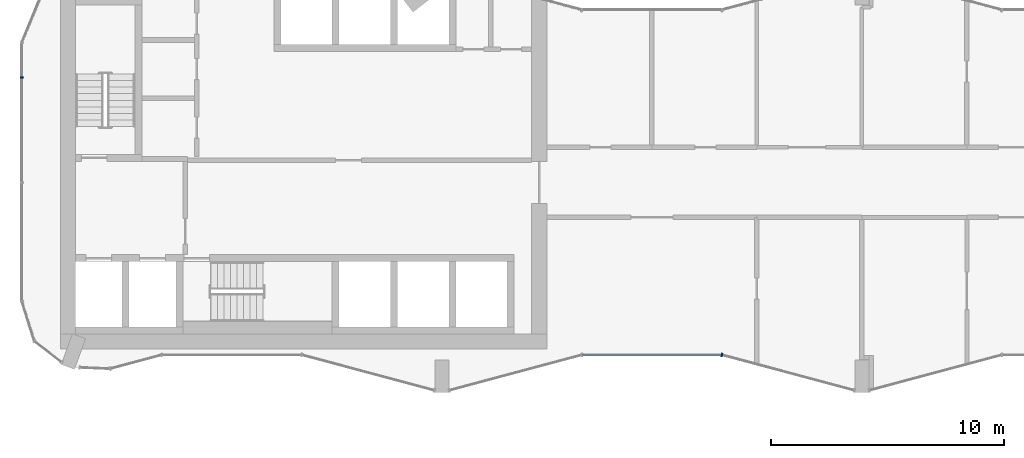
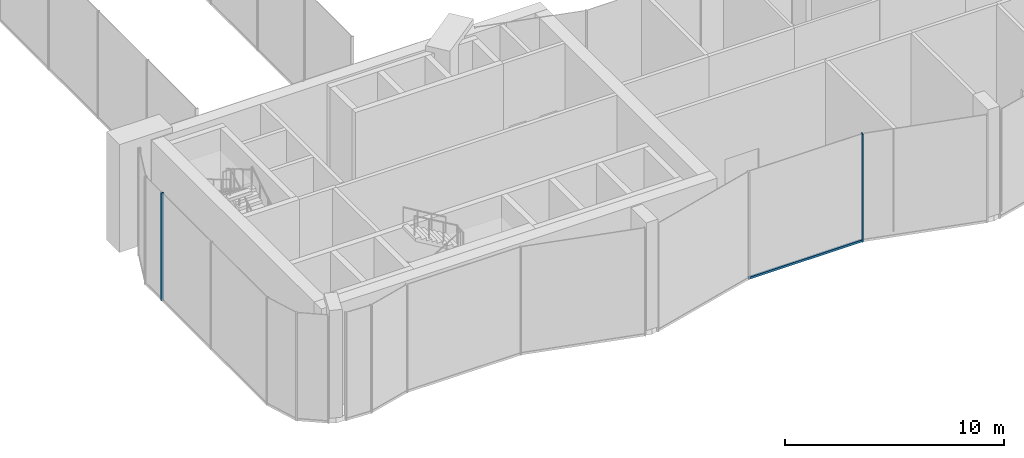
# One storey, part 3 of 19: 3 members, 3 elements without a shape of their own.
"""IFC4 building model written with IfcOpenShell, lengths in metres."""

from ifc_helpers import new_model, si_unit, direction, frame, origin, origin_2d, place, context, subcontext, project, spatial, rectangle, extrude, material, layer, layer_set, material_profile, profile_set, type_object, element, aggregate, save


model = new_model("IFC4")

# Units and contexts
model_context = context("Model", 3, precision=1e-05, world=origin(), true_north=direction((0.0, 1.0)))
body_context = subcontext(model_context, "Body", "Model", "MODEL_VIEW")
ifc_project = project(units=[si_unit("LENGTHUNIT", "METRE"), si_unit("AREAUNIT", "SQUARE_METRE"), si_unit("VOLUMEUNIT", "CUBIC_METRE"), si_unit("PLANEANGLEUNIT", "RADIAN"), si_unit("MASSUNIT", "GRAM", prefix="KILO")], contexts=[model_context])

# Site, building, storey
site_placement = place(None, origin())
site = spatial("IfcSite", under=ifc_project, at=site_placement, CompositionType="ELEMENT")
building_placement = place(site_placement, origin())
building = spatial("IfcBuilding", under=site, at=building_placement, Name="Plateau Cross Towers", CompositionType="ELEMENT")
storey_placement = place(building_placement, frame((0.0, 0.0, 128.60009765625)))
storey = spatial("IfcBuildingStorey", under=building, at=storey_placement, Name="L33", CompositionType="ELEMENT", Elevation=128.60009765625)

# Curtain wall, member
ifc_material_1 = material(Name="Dark low-iron glass", Category="glass")
ifc_layer_1 = layer(ifc_material_1, 0.239990234375)
ifc_layer_set_1 = layer_set([ifc_layer_1], Name="Dark low-iron glass")
curtain_wall_type_1 = type_object("IfcCurtainWallType", Name="Curtain wall flush unitised CW-B", PredefinedType="NOTDEFINED", material=ifc_layer_set_1)
curtain_wall_1_placement = place(storey_placement, origin())
curtain_wall_1 = element("IfcCurtainWall", 1, at=curtain_wall_1_placement, inside=storey, type_object=curtain_wall_type_1, Name="ENV/A/L33/A0_150", PredefinedType="NOTDEFINED")
ifc_material_2 = material(Name="Black anodised aluminium", Category="aluminium")
ifc_material_profile_1 = material_profile(ifc_material_2, rectangle(XDim=0.06005859375, YDim=0.139892578125, at=origin_2d()), Name="MULLION 60x140")
ifc_profile_set_1 = profile_set([ifc_material_profile_1], Name="Black anodised aluminium")
member_type_1 = type_object("IfcMemberType", Name="Mullion 60x140 flush unitised", PredefinedType="MULLION", material=ifc_profile_set_1)
member_1_placement = place(storey_placement, frame((0.0, 13.5, -0.300048828125), z_axis=(0.0, 0.0, 1.0), x_axis=(0.0, -1.0, 0.0)))
member_1 = element("IfcMember", 2, at=member_1_placement, type_object=member_type_1, Name="CW-B mullion 2", PredefinedType="MULLION", context=body_context, shape_type="SweptSolid", body=[
    extrude(rectangle(XDim=0.06005859375, YDim=0.139892578125, at=origin_2d()), origin(), (0.0, 0.0, 1.0), 6.0),
])
aggregate(curtain_wall_1, [member_1])

ifc_layer_2 = layer(ifc_material_1, 0.260009765625)
ifc_layer_set_2 = layer_set([ifc_layer_2], Name="Dark low-iron glass")
curtain_wall_type_2 = type_object("IfcCurtainWallType", Name="Curtain wall fluted unitised CW-A", PredefinedType="NOTDEFINED", material=ifc_layer_set_2)
curtain_wall_2_placement = place(storey_placement, origin())
curtain_wall_2 = element("IfcCurtainWall", 3, at=curtain_wall_2_placement, inside=storey, type_object=curtain_wall_type_2, Name="ENV/A/L33/A300_16", PredefinedType="NOTDEFINED")
ifc_material_profile_2 = material_profile(ifc_material_2, rectangle(XDim=0.06005859375, YDim=0.159912109375, at=origin_2d()), Name="MULLION 60x160")
ifc_profile_set_2 = profile_set([ifc_material_profile_2], Name="Black anodised aluminium")
member_type_2 = type_object("IfcMemberType", Name="Mullion 60x160 fluted unitised", PredefinedType="MULLION", material=ifc_profile_set_2)
member_2_placement = place(storey_placement, frame((30.0, 1.60693359375, -0.300048828125), z_axis=(0.0, 0.0, 1.0), x_axis=(0.965957983404, -0.258699003279, 0.0)))
member_2 = element("IfcMember", 4, at=member_2_placement, type_object=member_type_2, Name="CW-A mullion 1", PredefinedType="MULLION", context=body_context, shape_type="SweptSolid", body=[
    extrude(rectangle(XDim=0.06005859375, YDim=0.159912109375, at=origin_2d()), origin(), (0.0, 0.0, 1.0), 6.0),
])
aggregate(curtain_wall_2, [member_2])

curtain_wall_3_placement = place(storey_placement, origin())
curtain_wall_3 = element("IfcCurtainWall", 5, at=curtain_wall_3_placement, inside=storey, type_object=curtain_wall_type_2, Name="ENV/A/L33/A240_16", PredefinedType="NOTDEFINED")
ifc_material_profile_3 = material_profile(ifc_material_2, rectangle(XDim=0.10009765625, YDim=0.1201171875, at=origin_2d()), Name="TRANSOM 100x120")
ifc_profile_set_3 = profile_set([ifc_material_profile_3], Name="Black anodised aluminium")
member_type_3 = type_object("IfcMemberType", Name="Transom 100x120 fluted unitised", PredefinedType="USERDEFINED", material=ifc_profile_set_3)
member_3_placement = place(storey_placement, frame((24.0, 1.60693359375, -0.239990234375), z_axis=(1.0, 0.0, 0.0), x_axis=(0.0, 1.0, 0.0)))
member_3 = element("IfcMember", 6, at=member_3_placement, type_object=member_type_3, Name="CW-A transom", ObjectType="TRANSOM", PredefinedType="USERDEFINED", context=body_context, shape_type="SweptSolid", body=[
    extrude(rectangle(XDim=0.10009765625, YDim=0.1201171875, at=origin_2d()), origin(), (0.0, 0.0, 1.0), 6.0),
])
aggregate(curtain_wall_3, [member_3])

save(model, "model.ifc")
